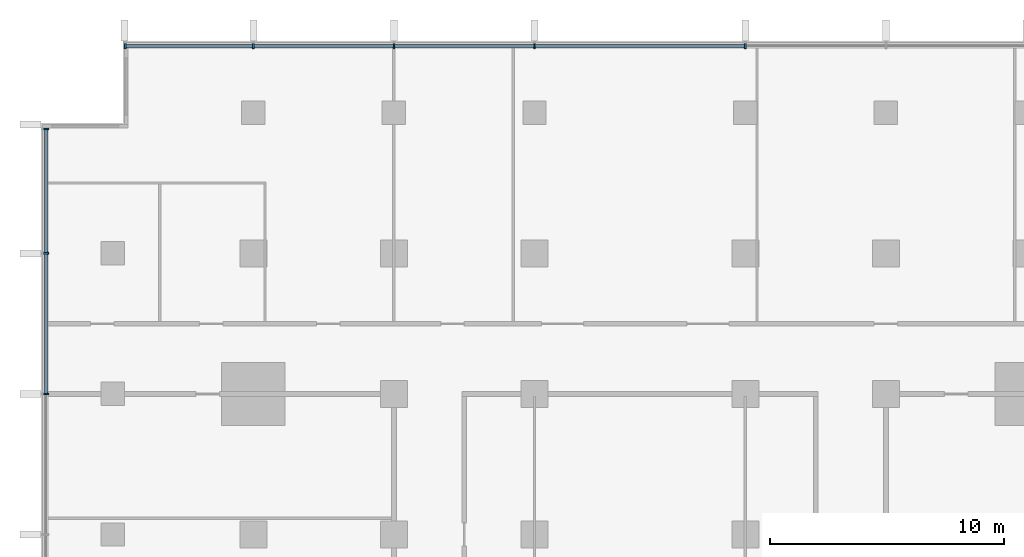
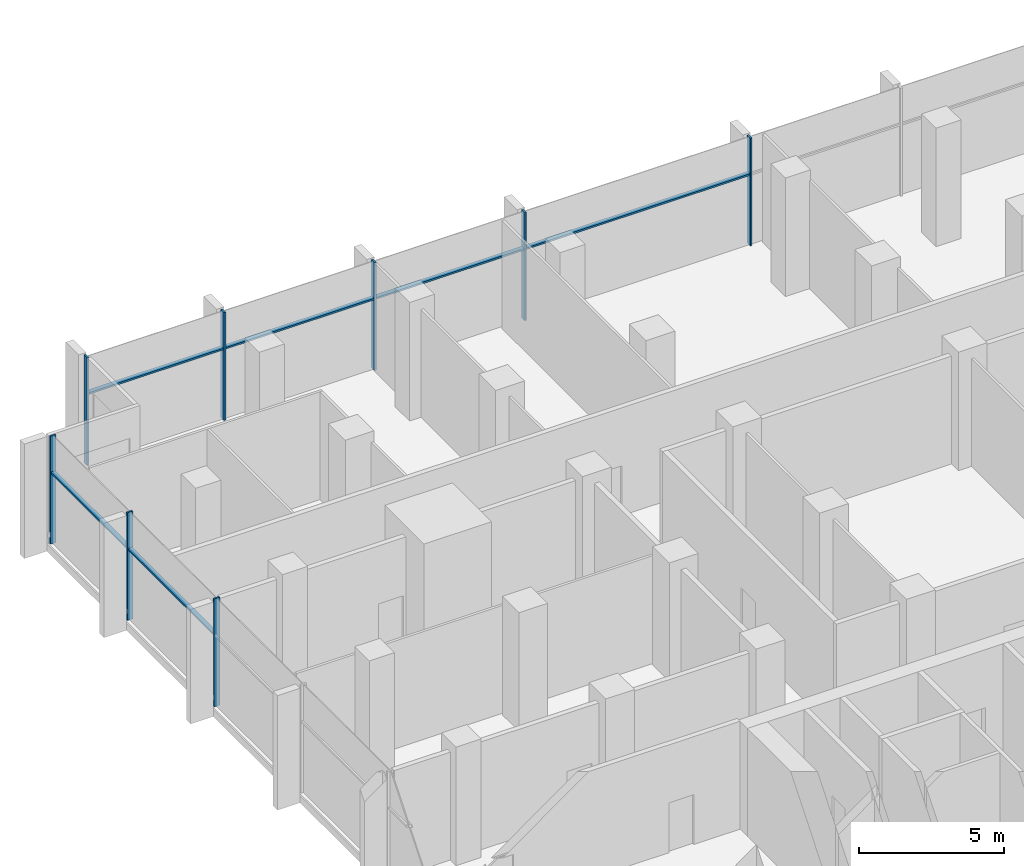
# One storey, part 4 of 15: 14 members, 2 elements without a shape of their own.
"""IFC4 building model written with IfcOpenShell, lengths in metres."""

from ifc_helpers import new_model, si_unit, direction, frame, origin, origin_2d, place, context, subcontext, project, spatial, rectangle, extrude, material, material_profile, profile_set, type_object, element, aggregate, save


model = new_model("IFC4")

# Units and contexts
model_context = context("Model", 3, precision=1e-05, world=origin(), true_north=direction((0.0, 1.0)))
body_context = subcontext(model_context, "Body", "Model", "MODEL_VIEW")
ifc_project = project(units=[si_unit("LENGTHUNIT", "METRE"), si_unit("AREAUNIT", "SQUARE_METRE"), si_unit("VOLUMEUNIT", "CUBIC_METRE"), si_unit("PLANEANGLEUNIT", "RADIAN"), si_unit("MASSUNIT", "GRAM", prefix="KILO")], contexts=[model_context])

# Site, building, storey
site_placement = place(None, origin())
site = spatial("IfcSite", under=ifc_project, at=site_placement, CompositionType="ELEMENT")
building_placement = place(site_placement, origin())
building = spatial("IfcBuilding", under=site, at=building_placement, Name="Finial Court Residences", CompositionType="ELEMENT")
storey_placement = place(building_placement, frame((0.0, 0.0, 138.89990234375)))
storey = spatial("IfcBuildingStorey", under=building, at=storey_placement, Name="L34", CompositionType="ELEMENT", Elevation=138.89990234375)

# Curtain wall, members
ifc_material = material(Name="Bronze anodised aluminium", Category="aluminium")
curtain_wall_type = type_object("IfcCurtainWallType", Name="Sky amenity glazing", PredefinedType="NOTDEFINED", material=ifc_material)
curtain_wall_1_placement = place(storey_placement, origin())
curtain_wall_1 = element("IfcCurtainWall", 1, at=curtain_wall_1_placement, inside=storey, type_object=curtain_wall_type, Name="E-L34-CW-N1", PredefinedType="NOTDEFINED")
ifc_material_profile_1 = material_profile(ifc_material, rectangle(XDim=0.22509765625, YDim=0.074951171875, at=origin_2d()), Name="CW3 mullion 75 x 225")
ifc_profile_set_1 = profile_set([ifc_material_profile_1], Name="Bronze anodised aluminium")
member_type_1 = type_object("IfcMemberType", Name="CW3 mullion 75 x 225", PredefinedType="MULLION", material=ifc_profile_set_1)
member_1_placement = place(storey_placement, frame((-21.96240234375, 22.35009765625, 0.0), z_axis=(0.0, 0.0, 1.0), x_axis=(0.0, 1.0, 0.0)))
member_1 = element("IfcMember", 2, at=member_1_placement, type_object=member_type_1, Name="CW3 mullion 1", PredefinedType="MULLION", context=body_context, shape_type="SweptSolid", body=[
    extrude(rectangle(XDim=0.22509765625, YDim=0.074951171875, at=origin_2d()), origin(), (0.0, 0.0, 1.0), 4.550048828125),
])
member_2_placement = place(storey_placement, frame((-16.5, 22.35009765625, 0.0), z_axis=(0.0, 0.0, 1.0), x_axis=(0.0, 1.0, 0.0)))
member_2 = element("IfcMember", 3, at=member_2_placement, type_object=member_type_1, Name="CW3 mullion 2", PredefinedType="MULLION", context=body_context, shape_type="SweptSolid", body=[
    extrude(rectangle(XDim=0.22509765625, YDim=0.074951171875, at=origin_2d()), origin(), (0.0, 0.0, 1.0), 4.550048828125),
])
member_3_placement = place(storey_placement, frame((-10.5, 22.35009765625, 0.0), z_axis=(0.0, 0.0, 1.0), x_axis=(0.0, 1.0, 0.0)))
member_3 = element("IfcMember", 4, at=member_3_placement, type_object=member_type_1, Name="CW3 mullion 3", PredefinedType="MULLION", context=body_context, shape_type="SweptSolid", body=[
    extrude(rectangle(XDim=0.22509765625, YDim=0.074951171875, at=origin_2d()), origin(), (0.0, 0.0, 1.0), 4.550048828125),
])
member_4_placement = place(storey_placement, frame((-4.5, 22.35009765625, 0.0), z_axis=(0.0, 0.0, 1.0), x_axis=(0.0, 1.0, 0.0)))
member_4 = element("IfcMember", 5, at=member_4_placement, type_object=member_type_1, Name="CW3 mullion 4", PredefinedType="MULLION", context=body_context, shape_type="SweptSolid", body=[
    extrude(rectangle(XDim=0.22509765625, YDim=0.074951171875, at=origin_2d()), origin(), (0.0, 0.0, 1.0), 4.550048828125),
])
member_5_placement = place(storey_placement, frame((4.5, 22.35009765625, 0.0), z_axis=(0.0, 0.0, 1.0), x_axis=(0.0, 1.0, 0.0)))
member_5 = element("IfcMember", 6, at=member_5_placement, type_object=member_type_1, Name="CW3 mullion 5", PredefinedType="MULLION", context=body_context, shape_type="SweptSolid", body=[
    extrude(rectangle(XDim=0.22509765625, YDim=0.074951171875, at=origin_2d()), origin(), (0.0, 0.0, 1.0), 4.550048828125),
])

curtain_wall_2_placement = place(storey_placement, origin())
curtain_wall_2 = element("IfcCurtainWall", 7, at=curtain_wall_2_placement, inside=storey, type_object=curtain_wall_type, Name="E-L34-CW-W5", PredefinedType="NOTDEFINED")
member_6_placement = place(storey_placement, frame((-25.35009765625, 7.5, 0.0), z_axis=(0.0, 0.0, 1.0), x_axis=(-1.0, 0.0, 0.0)))
member_6 = element("IfcMember", 8, at=member_6_placement, type_object=member_type_1, Name="CW3 mullion 5", PredefinedType="MULLION", context=body_context, shape_type="SweptSolid", body=[
    extrude(rectangle(XDim=0.22509765625, YDim=0.074951171875, at=origin_2d()), origin(), (0.0, 0.0, 1.0), 4.550048828125),
])
member_7_placement = place(storey_placement, frame((-25.35009765625, 13.5, 0.0), z_axis=(0.0, 0.0, 1.0), x_axis=(-1.0, 0.0, 0.0)))
member_7 = element("IfcMember", 9, at=member_7_placement, type_object=member_type_1, Name="CW3 mullion 6", PredefinedType="MULLION", context=body_context, shape_type="SweptSolid", body=[
    extrude(rectangle(XDim=0.22509765625, YDim=0.074951171875, at=origin_2d()), origin(), (0.0, 0.0, 1.0), 4.550048828125),
])
member_8_placement = place(storey_placement, frame((-25.35009765625, 18.8125, 0.0), z_axis=(0.0, 0.0, 1.0), x_axis=(-1.0, 0.0, 0.0)))
member_8 = element("IfcMember", 10, at=member_8_placement, type_object=member_type_1, Name="CW3 mullion 7", PredefinedType="MULLION", context=body_context, shape_type="SweptSolid", body=[
    extrude(rectangle(XDim=0.22509765625, YDim=0.074951171875, at=origin_2d()), origin(), (0.0, 0.0, 1.0), 4.550048828125),
])

# Member
ifc_material_profile_2 = material_profile(ifc_material, rectangle(XDim=0.175048828125, YDim=0.074951171875, at=origin_2d()), Name="CW3 transom 75 x 175")
ifc_profile_set_2 = profile_set([ifc_material_profile_2], Name="Bronze anodised aluminium")
member_type_2 = type_object("IfcMemberType", Name="CW3 transom 75 x 175", PredefinedType="USERDEFINED", material=ifc_profile_set_2)
member_9_placement = place(storey_placement, frame((-21.925048828125, 22.35009765625, 3.0), z_axis=(1.0, 0.0, 0.0), x_axis=(0.0, 1.0, 0.0)))
member_9 = element("IfcMember", 11, at=member_9_placement, type_object=member_type_2, Name="CW3 transom 1.1", ObjectType="TRANSOM", PredefinedType="USERDEFINED", context=body_context, shape_type="SweptSolid", body=[
    extrude(rectangle(XDim=0.175048828125, YDim=0.074951171875, at=origin_2d()), origin(), (0.0, 0.0, 1.0), 5.387451171875),
])

member_10_placement = place(storey_placement, frame((-16.46240234375, 22.35009765625, 3.0), z_axis=(1.0, 0.0, 0.0), x_axis=(0.0, 1.0, 0.0)))
member_10 = element("IfcMember", 12, at=member_10_placement, type_object=member_type_2, Name="CW3 transom 2.1", ObjectType="TRANSOM", PredefinedType="USERDEFINED", context=body_context, shape_type="SweptSolid", body=[
    extrude(rectangle(XDim=0.175048828125, YDim=0.074951171875, at=origin_2d()), origin(), (0.0, 0.0, 1.0), 5.9248046875),
])

member_11_placement = place(storey_placement, frame((-10.46240234375, 22.35009765625, 3.0), z_axis=(1.0, 0.0, 0.0), x_axis=(0.0, 1.0, 0.0)))
member_11 = element("IfcMember", 13, at=member_11_placement, type_object=member_type_2, Name="CW3 transom 3.1", ObjectType="TRANSOM", PredefinedType="USERDEFINED", context=body_context, shape_type="SweptSolid", body=[
    extrude(rectangle(XDim=0.175048828125, YDim=0.074951171875, at=origin_2d()), origin(), (0.0, 0.0, 1.0), 5.9248046875),
])

member_12_placement = place(storey_placement, frame((-4.46240234375, 22.35009765625, 3.0), z_axis=(1.0, 0.0, 0.0), x_axis=(0.0, 1.0, 0.0)))
member_12 = element("IfcMember", 14, at=member_12_placement, type_object=member_type_2, Name="CW3 transom 4.1", ObjectType="TRANSOM", PredefinedType="USERDEFINED", context=body_context, shape_type="SweptSolid", body=[
    extrude(rectangle(XDim=0.175048828125, YDim=0.074951171875, at=origin_2d()), origin(), (0.0, 0.0, 1.0), 8.9248046875),
])

aggregate(curtain_wall_1, [member_1, member_2, member_3, member_4, member_5, member_9, member_10, member_11, member_12])

member_13_placement = place(storey_placement, frame((-25.35009765625, 7.53759765625, 3.0), z_axis=(0.0, 1.0, 0.0), x_axis=(-1.0, 0.0, 0.0)))
member_13 = element("IfcMember", 15, at=member_13_placement, type_object=member_type_2, Name="CW3 transom 5.1", ObjectType="TRANSOM", PredefinedType="USERDEFINED", context=body_context, shape_type="SweptSolid", body=[
    extrude(rectangle(XDim=0.175048828125, YDim=0.074951171875, at=origin_2d()), origin(), (0.0, 0.0, 1.0), 5.9248046875),
])

member_14_placement = place(storey_placement, frame((-25.35009765625, 13.53759765625, 3.0), z_axis=(0.0, 1.0, 0.0), x_axis=(-1.0, 0.0, 0.0)))
member_14 = element("IfcMember", 16, at=member_14_placement, type_object=member_type_2, Name="CW3 transom 6.1", ObjectType="TRANSOM", PredefinedType="USERDEFINED", context=body_context, shape_type="SweptSolid", body=[
    extrude(rectangle(XDim=0.175048828125, YDim=0.074951171875, at=origin_2d()), origin(), (0.0, 0.0, 1.0), 5.2373046875),
])

aggregate(curtain_wall_2, [member_6, member_7, member_8, member_13, member_14])

save(model, "model.ifc")
